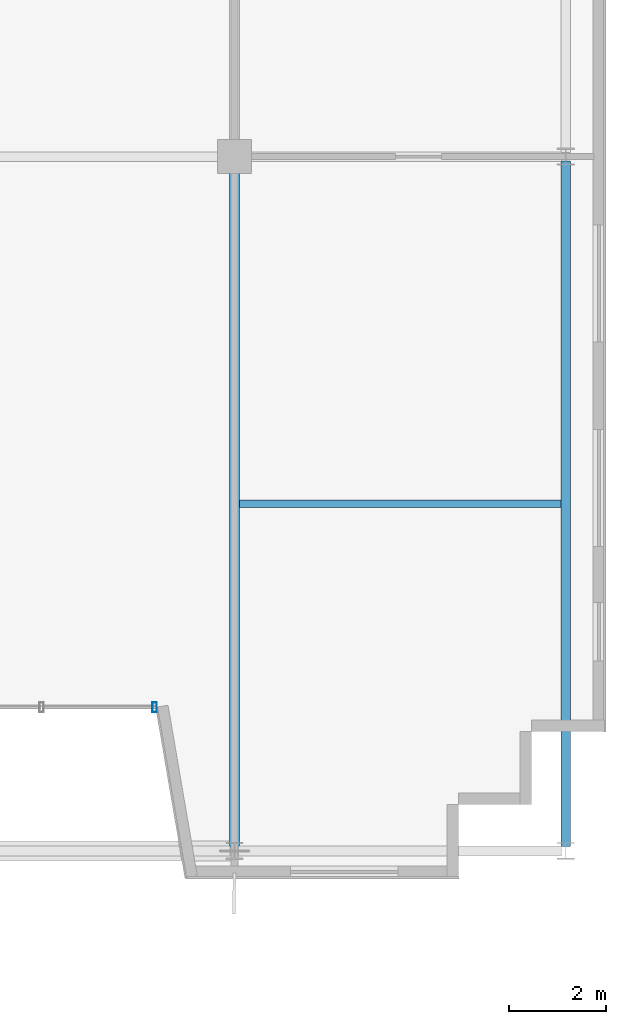
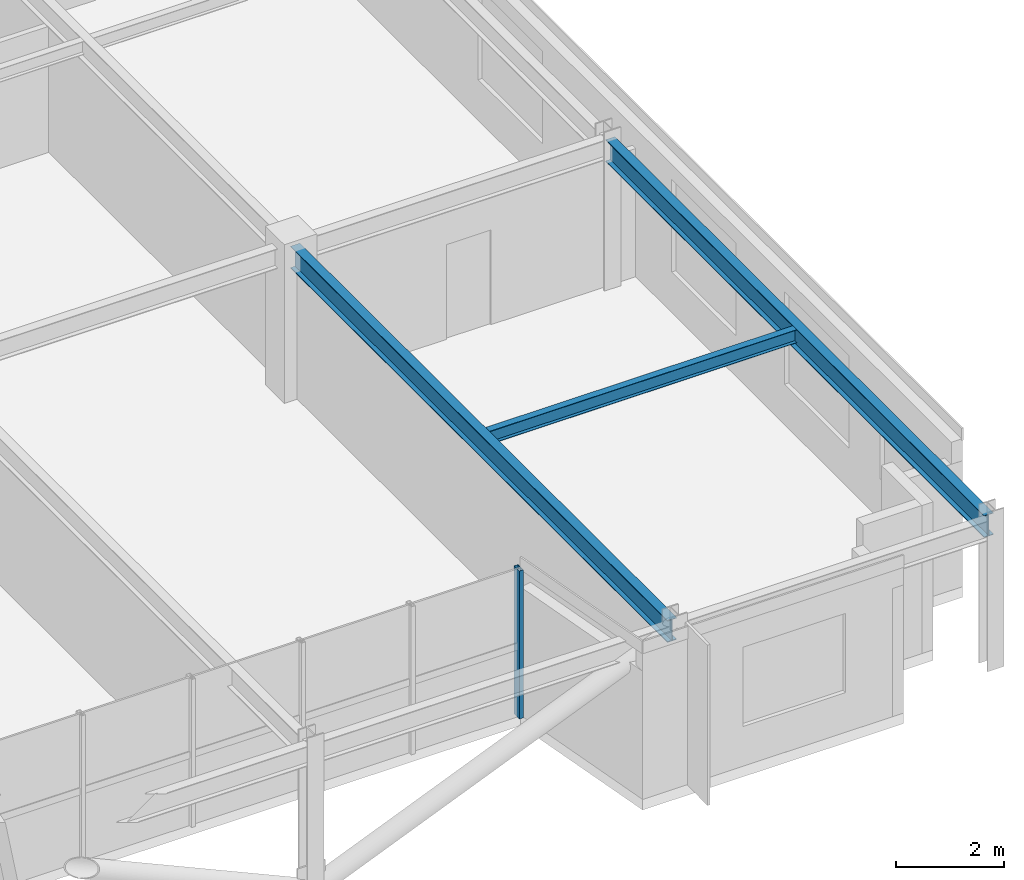
# One storey, part 8 of 27: 3 beams, 1 member, 1 element without a shape of its own.
"""IFC4 building model written with IfcOpenShell, lengths in metres."""

from ifc_helpers import new_model, si_unit, direction, frame, origin, origin_2d, place, context, subcontext, project, spatial, hollow_rectangle, i_section, extrude, source, transform, mapped, material, material_profile, profile_set, type_object, element, aggregate, save


model = new_model("IFC4")

# Units and contexts
model_context = context("Model", 3, precision=1e-05, world=origin(), true_north=direction((0.0, 1.0)))
body_context = subcontext(model_context, "Body", "Model", "MODEL_VIEW")
ifc_project = project(units=[si_unit("LENGTHUNIT", "METRE"), si_unit("AREAUNIT", "SQUARE_METRE"), si_unit("VOLUMEUNIT", "CUBIC_METRE"), si_unit("PLANEANGLEUNIT", "RADIAN"), si_unit("MASSUNIT", "GRAM", prefix="KILO")], contexts=[model_context])

# Site, building, storey
site_placement = place(None, origin())
site = spatial("IfcSite", under=ifc_project, at=site_placement, CompositionType="ELEMENT")
building_placement = place(site_placement, origin())
building = spatial("IfcBuilding", under=site, at=building_placement, Name="Trelvane Seafront Commons", CompositionType="ELEMENT")
storey_placement = place(building_placement, frame((0.0, 0.0, 233.699951171875)))
storey = spatial("IfcBuildingStorey", under=building, at=storey_placement, Name="L61", CompositionType="ELEMENT", Elevation=233.699951171875)

# Beams
ifc_material_1 = material(Name="Steel SM355 (S355)", Category="steel")
ifc_material_profile_1 = material_profile(ifc_material_1, i_section(OverallWidth=0.199951171875, OverallDepth=0.5, WebThickness=0.010009765625, FlangeThickness=0.01611328125, at=origin_2d()), Name="H-500x200x10x16")
ifc_profile_set_1 = profile_set([ifc_material_profile_1], Name="Steel SM355 (S355)")
beam_type_1 = type_object("IfcBeamType", Name="STR-BM-H500", PredefinedType="BEAM", material=ifc_profile_set_1)
shared_shape_1 = source(origin(), body_context, "Body", "SweptSolid", [
    extrude(i_section(OverallWidth=0.199951171875, OverallDepth=0.5, WebThickness=0.010009765625, FlangeThickness=0.01611328125, at=origin_2d()), origin(), (0.0, 0.0, 1.0), 14.074951171875),
])
beam_1_placement = place(storey_placement, frame((65.60009765625, 4.03759765625, 3.110107421875), z_axis=(0.0, 1.0, 0.0), x_axis=(-1.0, 0.0, 0.0)))
element("IfcBeam", 1, at=beam_1_placement, inside=storey, type_object=beam_type_1, Name="L61 Primary Girder G-50", PredefinedType="BEAM", context=body_context, shape_type="MappedRepresentation", body=[
    mapped(shared_shape_1, transform((0.0, 0.0, 0.0), x_axis=(1.0, 0.0, 0.0), y_axis=(0.0, 1.0, 0.0), z_axis=(0.0, 0.0, 1.0), scale=1.0)),
])
shared_shape_2 = source(origin(), body_context, "Body", "SweptSolid", [
    extrude(i_section(OverallWidth=0.199951171875, OverallDepth=0.5, WebThickness=0.010009765625, FlangeThickness=0.01611328125, at=origin_2d()), origin(), (0.0, 0.0, 1.0), 14.012451171875),
])
beam_2_placement = place(storey_placement, frame((58.800048828125, 4.03759765625, 3.110107421875), z_axis=(0.0, 1.0, 0.0), x_axis=(-1.0, 0.0, 0.0)))
element("IfcBeam", 2, at=beam_2_placement, inside=storey, type_object=beam_type_1, Name="L61 Primary Girder G-47", PredefinedType="BEAM", context=body_context, shape_type="MappedRepresentation", body=[
    mapped(shared_shape_2, transform((0.0, 0.0, 0.0), x_axis=(1.0, 0.0, 0.0), y_axis=(0.0, 1.0, 0.0), z_axis=(0.0, 0.0, 1.0), scale=1.0)),
])
ifc_material_profile_2 = material_profile(ifc_material_1, i_section(OverallWidth=0.14990234375, OverallDepth=0.300048828125, WebThickness=0.006591796875, FlangeThickness=0.009033203125, at=origin_2d()), Name="H-300x150x6.5x9")
ifc_profile_set_2 = profile_set([ifc_material_profile_2], Name="Steel SM355 (S355)")
beam_type_2 = type_object("IfcBeamType", Name="STR-JST-H300", PredefinedType="JOIST", material=ifc_profile_set_2)
shared_shape_3 = source(origin(), body_context, "Body", "SweptSolid", [
    extrude(i_section(OverallWidth=0.14990234375, OverallDepth=0.300048828125, WebThickness=0.006591796875, FlangeThickness=0.009033203125, at=origin_2d()), origin(), (0.0, 0.0, 1.0), 6.60009765625),
])
beam_3_placement = place(storey_placement, frame((58.89990234375, 11.074951171875, 3.2099609375), z_axis=(1.0, 0.0, 0.0), x_axis=(0.0, 1.0, 0.0)))
element("IfcBeam", 3, at=beam_3_placement, inside=storey, type_object=beam_type_2, Name="L61 Secondary Floor Joist B-57", PredefinedType="JOIST", context=body_context, shape_type="MappedRepresentation", body=[
    mapped(shared_shape_3, transform((0.0, 0.0, 0.0), x_axis=(1.0, 0.0, 0.0), y_axis=(0.0, 1.0, 0.0), z_axis=(0.0, 0.0, 1.0), scale=1.0)),
])

# Curtain wall, member
ifc_material_2 = material(Name="Anodised pale-silver aluminium", Category="aluminium")
curtain_wall_type = type_object("IfcCurtainWallType", Name="ARCH-CW3-PORTAL", PredefinedType="NOTDEFINED", material=ifc_material_2)
curtain_wall_placement = place(storey_placement, origin())
curtain_wall = element("IfcCurtainWall", 4, at=curtain_wall_placement, inside=storey, type_object=curtain_wall_type, Name="CW-L61-VN-0105", PredefinedType="NOTDEFINED")
ifc_material_profile_3 = material_profile(ifc_material_2, hollow_rectangle(XDim=0.090087890625, YDim=0.199951171875, WallThickness=0.0048828125, at=origin_2d()), Name="MULL-90x200x5")
ifc_profile_set_3 = profile_set([ifc_material_profile_3], Name="Anodised pale-silver aluminium")
member_type = type_object("IfcMemberType", Name="ARCH-CW-MULL-200", PredefinedType="MULLION", material=ifc_profile_set_3)
shared_shape_4 = source(origin(), body_context, "Body", "SweptSolid", [
    extrude(hollow_rectangle(XDim=0.090087890625, YDim=0.199951171875, WallThickness=0.0048828125, at=origin_2d()), origin(), (0.0, 0.0, 1.0), 3.360107421875),
])
member_placement = place(storey_placement, frame((57.159912109375, 6.89990234375, 0.0), z_axis=(0.0, 0.0, 1.0), x_axis=(1.0, 0.0, 0.0)))
member = element("IfcMember", 5, at=member_placement, type_object=member_type, Name="CW-L61-VN-0105-M00", PredefinedType="MULLION", context=body_context, shape_type="MappedRepresentation", body=[
    mapped(shared_shape_4, transform((0.0, 0.0, 0.0), x_axis=(1.0, 0.0, 0.0), y_axis=(0.0, 1.0, 0.0), z_axis=(0.0, 0.0, 1.0), scale=1.0)),
])
aggregate(curtain_wall, [member])

save(model, "model.ifc")
